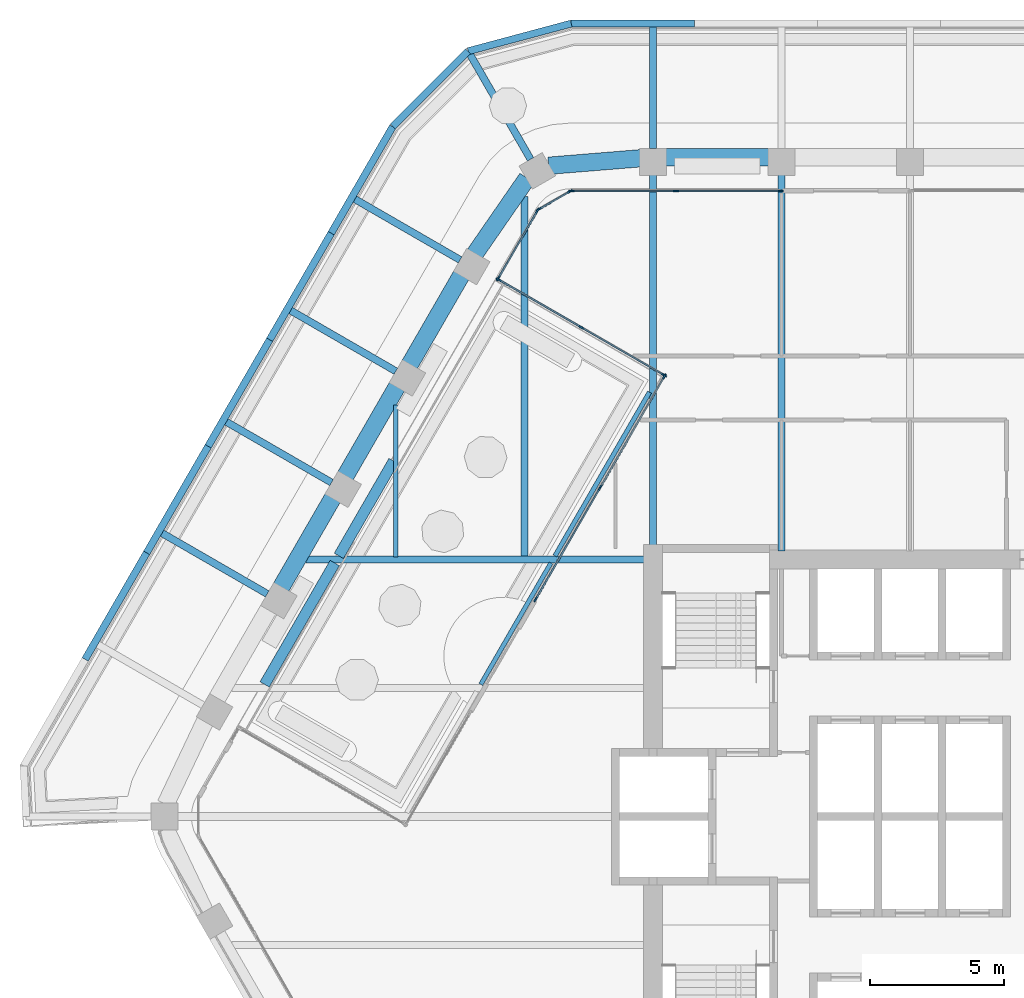
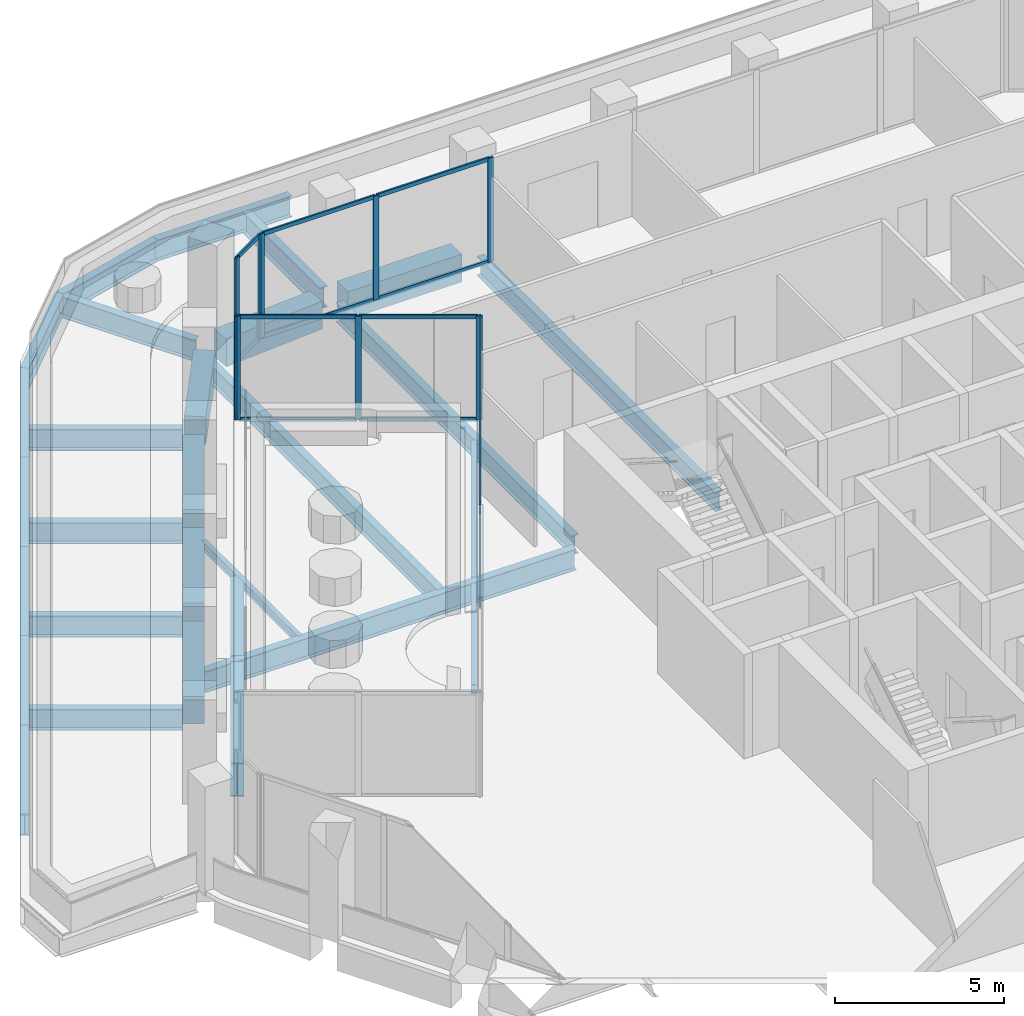
# One storey, part 6 of 18: 29 beams, 29 members, 5 elements without a shape of their own.
"""IFC4 building model written with IfcOpenShell, lengths in metres."""

from ifc_helpers import new_model, si_unit, direction, frame, origin, origin_2d, place, context, subcontext, project, spatial, rectangle, i_section, extrude, material, material_profile, profile_set, type_object, element, aggregate, save


model = new_model("IFC4")

# Units and contexts
model_context = context("Model", 3, precision=1e-05, world=origin(), true_north=direction((0.0, 1.0)))
body_context = subcontext(model_context, "Body", "Model", "MODEL_VIEW")
ifc_project = project(units=[si_unit("LENGTHUNIT", "METRE"), si_unit("AREAUNIT", "SQUARE_METRE"), si_unit("VOLUMEUNIT", "CUBIC_METRE"), si_unit("PLANEANGLEUNIT", "RADIAN"), si_unit("MASSUNIT", "GRAM", prefix="KILO")], contexts=[model_context])

# Site, building, storey
site_placement = place(None, origin())
site = spatial("IfcSite", under=ifc_project, at=site_placement, CompositionType="ELEMENT")
building_placement = place(site_placement, origin())
building = spatial("IfcBuilding", under=site, at=building_placement, Name="Kolab Exchange Tower", CompositionType="ELEMENT")
storey_placement = place(building_placement, frame((0.0, 0.0, 150.5)))
storey = spatial("IfcBuildingStorey", under=building, at=storey_placement, Name="L30", CompositionType="ELEMENT", Elevation=150.5)

# Beams
ifc_material_1 = material(Name="Steel S355", Category="steel")
ifc_material_profile_1 = material_profile(ifc_material_1, i_section(OverallWidth=0.39990234375, OverallDepth=1.199951171875, WebThickness=0.02490234375, FlangeThickness=0.0400390625, at=origin_2d()), Name="PG1200X400")
ifc_profile_set_1 = profile_set([ifc_material_profile_1], Name="Steel S355")
beam_type_1 = type_object("IfcBeamType", Name="FLOOR BEAM PG1200X400", PredefinedType="BEAM", material=ifc_profile_set_1)
beam_1_placement = place(storey_placement, frame((-24.098388671875, 4.93359375, -0.75), z_axis=(0.500011808253, 0.866018586179, 0.0), x_axis=(-0.866018586179, 0.500011808253, 0.0)))
element("IfcBeam", 1, at=beam_1_placement, inside=storey, type_object=beam_type_1, Name="beam/L30/fr/003", PredefinedType="BEAM", context=body_context, shape_type="SweptSolid", body=[
    extrude(i_section(OverallWidth=0.39990234375, OverallDepth=1.199951171875, WebThickness=0.02490234375, FlangeThickness=0.0400390625, at=origin_2d()), origin(), (0.0, 0.0, 1.0), 5.234130859375),
])
beam_2_placement = place(storey_placement, frame((-21.3271484375, 9.7333984375, -0.75), z_axis=(0.499998074415, 0.866026515518, 0.0), x_axis=(-0.866026515518, 0.499998074415, 0.0)))
element("IfcBeam", 2, at=beam_2_placement, inside=storey, type_object=beam_type_1, Name="beam/L30/fr/004", PredefinedType="BEAM", context=body_context, shape_type="SweptSolid", body=[
    extrude(i_section(OverallWidth=0.39990234375, OverallDepth=1.199951171875, WebThickness=0.02490234375, FlangeThickness=0.0400390625, at=origin_2d()), origin(), (0.0, 0.0, 1.0), 4.08935546875),
])
ifc_material_profile_2 = material_profile(ifc_material_1, i_section(OverallWidth=0.1650390625, OverallDepth=0.31005859375, WebThickness=0.005859375, FlangeThickness=0.009765625, at=origin_2d()), Name="W310X39")
ifc_profile_set_2 = profile_set([ifc_material_profile_2], Name="Steel S355")
beam_type_2 = type_object("IfcBeamType", Name="FLOOR BEAM W310X39", PredefinedType="BEAM", material=ifc_profile_set_2)
beam_3_placement = place(storey_placement, frame((-19.199951171875, 9.693603515625, -0.304931640625), z_axis=(0.0, 1.0, 0.0), x_axis=(-1.0, 0.0, 0.0)))
element("IfcBeam", 3, at=beam_3_placement, inside=storey, type_object=beam_type_2, Name="beam/L30/fr/006", PredefinedType="BEAM", context=body_context, shape_type="SweptSolid", body=[
    extrude(i_section(OverallWidth=0.1650390625, OverallDepth=0.31005859375, WebThickness=0.005859375, FlangeThickness=0.009765625, at=origin_2d()), origin(), (0.0, 0.0, 1.0), 5.674072265625),
])
beam_4_placement = place(storey_placement, frame((-16.027099609375, 4.93359375, -0.304931640625), z_axis=(0.500011808253, 0.866018586179, 0.0), x_axis=(-0.866018586179, 0.500011808253, 0.0)))
element("IfcBeam", 4, at=beam_4_placement, inside=storey, type_object=beam_type_2, Name="beam/L30/fr/008", PredefinedType="BEAM", context=body_context, shape_type="SweptSolid", body=[
    extrude(i_section(OverallWidth=0.1650390625, OverallDepth=0.31005859375, WebThickness=0.005859375, FlangeThickness=0.009765625, at=origin_2d()), origin(), (0.0, 0.0, 1.0), 5.234130859375),
])
ifc_material_profile_3 = material_profile(ifc_material_1, i_section(OverallWidth=0.1708984375, OverallDepth=0.35498046875, WebThickness=0.007080078125, FlangeThickness=0.01171875, at=origin_2d()), Name="W360X51")
ifc_profile_set_3 = profile_set([ifc_material_profile_3], Name="Steel S355")
beam_type_3 = type_object("IfcBeamType", Name="FLOOR BEAM W360X51", PredefinedType="BEAM", material=ifc_profile_set_3)
beam_5_placement = place(storey_placement, frame((-13.255615234375, 9.7333984375, -0.327392578125), z_axis=(0.499974989216, 0.866039843286, 0.0), x_axis=(-0.866039843286, 0.499974989216, 0.0)))
element("IfcBeam", 5, at=beam_5_placement, inside=storey, type_object=beam_type_3, Name="beam/L30/fr/011", PredefinedType="BEAM", context=body_context, shape_type="SweptSolid", body=[
    extrude(i_section(OverallWidth=0.1708984375, OverallDepth=0.35498046875, WebThickness=0.007080078125, FlangeThickness=0.01171875, at=origin_2d()), origin(), (0.0, 0.0, 1.0), 7.057373046875),
])
ifc_material_profile_4 = material_profile(ifc_material_1, i_section(OverallWidth=0.25390625, OverallDepth=0.68408203125, WebThickness=0.012451171875, FlangeThickness=0.018798828125, at=origin_2d()), Name="W690X140")
ifc_profile_set_4 = profile_set([ifc_material_profile_4], Name="Steel S355")
beam_type_4 = type_object("IfcBeamType", Name="FLOOR BEAM W690X140", PredefinedType="BEAM", material=ifc_profile_set_4)
beam_6_placement = place(storey_placement, frame((-14.39990234375, 9.693603515625, -0.491943359375), z_axis=(0.0, 1.0, 0.0), x_axis=(-1.0, 0.0, 0.0)))
element("IfcBeam", 6, at=beam_6_placement, inside=storey, type_object=beam_type_4, Name="beam/L30/fr/010", PredefinedType="BEAM", context=body_context, shape_type="SweptSolid", body=[
    extrude(i_section(OverallWidth=0.25390625, OverallDepth=0.68408203125, WebThickness=0.012451171875, FlangeThickness=0.018798828125, at=origin_2d()), origin(), (0.0, 0.0, 1.0), 13.462158203125),
])
beam_7_placement = place(storey_placement, frame((-9.60009765625, 10.110107421875, -0.491943359375), z_axis=(0.0, 1.0, 0.0), x_axis=(-1.0, 0.0, 0.0)))
element("IfcBeam", 7, at=beam_7_placement, inside=storey, type_object=beam_type_4, Name="beam/L30/fr/013", PredefinedType="BEAM", context=body_context, shape_type="SweptSolid", body=[
    extrude(i_section(OverallWidth=0.25390625, OverallDepth=0.68408203125, WebThickness=0.012451171875, FlangeThickness=0.018798828125, at=origin_2d()), origin(), (0.0, 0.0, 1.0), 13.871337890625),
])
beam_8_placement = place(storey_placement, frame((-4.800048828125, 9.909912109375, -0.491943359375), z_axis=(0.0, 1.0, 0.0), x_axis=(-1.0, 0.0, 0.0)))
element("IfcBeam", 8, at=beam_8_placement, inside=storey, type_object=beam_type_4, Name="beam/L30/fr/015", PredefinedType="BEAM", context=body_context, shape_type="SweptSolid", body=[
    extrude(i_section(OverallWidth=0.25390625, OverallDepth=0.68408203125, WebThickness=0.012451171875, FlangeThickness=0.018798828125, at=origin_2d()), origin(), (0.0, 0.0, 1.0), 14.071533203125),
])
ifc_material_profile_5 = material_profile(ifc_material_1, i_section(OverallWidth=0.26708984375, OverallDepth=0.761962890625, WebThickness=0.014404296875, FlangeThickness=0.021484375, at=origin_2d()), Name="W760X173")
ifc_profile_set_5 = profile_set([ifc_material_profile_5], Name="Steel S355")
beam_type_5 = type_object("IfcBeamType", Name="FLOOR GIRDER W760X173", PredefinedType="BEAM", material=ifc_profile_set_5)
beam_9_placement = place(storey_placement, frame((-22.546875, 9.60009765625, -0.531005859375), z_axis=(1.0, 0.0, 0.0), x_axis=(0.0, 1.0, 0.0)))
element("IfcBeam", 9, at=beam_9_placement, inside=storey, type_object=beam_type_5, Name="beam/L30/gd/001", PredefinedType="BEAM", context=body_context, shape_type="SweptSolid", body=[
    extrude(i_section(OverallWidth=0.26708984375, OverallDepth=0.761962890625, WebThickness=0.014404296875, FlangeThickness=0.021484375, at=origin_2d()), origin(), (0.0, 0.0, 1.0), 12.636962890625),
])
beam_10_placement = place(storey_placement, frame((-24.0, 8.313720703125, -0.591064453125), z_axis=(-0.866020560687, 0.500008388397, 0.0), x_axis=(-0.500008388397, -0.866020560687, 0.0)))
element("IfcBeam", 10, at=beam_10_placement, inside=storey, type_object=beam_type_5, Name="beam/L30/ledge/rib-02", PredefinedType="BEAM", context=body_context, shape_type="SweptSolid", body=[
    extrude(i_section(OverallWidth=0.26708984375, OverallDepth=0.761962890625, WebThickness=0.014404296875, FlangeThickness=0.021484375, at=origin_2d()), origin(), (0.0, 0.0, 1.0), 4.533203125),
])
beam_11_placement = place(storey_placement, frame((-21.60009765625, 12.470703125, -0.591064453125), z_axis=(-0.866007095043, 0.500031710329, 0.0), x_axis=(-0.500031710329, -0.866007095043, 0.0)))
element("IfcBeam", 11, at=beam_11_placement, inside=storey, type_object=beam_type_5, Name="beam/L30/ledge/rib-03", PredefinedType="BEAM", context=body_context, shape_type="SweptSolid", body=[
    extrude(i_section(OverallWidth=0.26708984375, OverallDepth=0.761962890625, WebThickness=0.014404296875, FlangeThickness=0.021484375, at=origin_2d()), origin(), (0.0, 0.0, 1.0), 4.532958984375),
])
beam_12_placement = place(storey_placement, frame((-19.199951171875, 16.627685546875, -0.591064453125), z_axis=(-0.866020560687, 0.500008388397, 0.0), x_axis=(-0.500008388397, -0.866020560687, 0.0)))
element("IfcBeam", 12, at=beam_12_placement, inside=storey, type_object=beam_type_5, Name="beam/L30/ledge/rib-04", PredefinedType="BEAM", context=body_context, shape_type="SweptSolid", body=[
    extrude(i_section(OverallWidth=0.26708984375, OverallDepth=0.761962890625, WebThickness=0.014404296875, FlangeThickness=0.021484375, at=origin_2d()), origin(), (0.0, 0.0, 1.0), 4.533203125),
])
beam_13_placement = place(storey_placement, frame((-16.800048828125, 20.78466796875, -0.591064453125), z_axis=(-0.866030417568, 0.499991315771, 0.0), x_axis=(-0.499991315771, -0.866030417568, 0.0)))
element("IfcBeam", 13, at=beam_13_placement, inside=storey, type_object=beam_type_5, Name="beam/L30/ledge/rib-05", PredefinedType="BEAM", context=body_context, shape_type="SweptSolid", body=[
    extrude(i_section(OverallWidth=0.26708984375, OverallDepth=0.761962890625, WebThickness=0.014404296875, FlangeThickness=0.021484375, at=origin_2d()), origin(), (0.0, 0.0, 1.0), 4.53271484375),
])
beam_14_placement = place(storey_placement, frame((-14.16796875, 24.53955078125, -0.591064453125), z_axis=(-0.499967994467, 0.866043881399, 0.0), x_axis=(-0.866043881399, -0.499967994467, 0.0)))
element("IfcBeam", 14, at=beam_14_placement, inside=storey, type_object=beam_type_5, Name="beam/L30/ledge/rib-06", PredefinedType="BEAM", context=body_context, shape_type="SweptSolid", body=[
    extrude(i_section(OverallWidth=0.26708984375, OverallDepth=0.761962890625, WebThickness=0.014404296875, FlangeThickness=0.021484375, at=origin_2d()), origin(), (0.0, 0.0, 1.0), 4.532958984375),
])
beam_15_placement = place(storey_placement, frame((-9.60009765625, 24.94140625, -0.591064453125), z_axis=(0.0, 1.0, 0.0), x_axis=(-1.0, 0.0, 0.0)))
element("IfcBeam", 15, at=beam_15_placement, inside=storey, type_object=beam_type_5, Name="beam/L30/ledge/rib-07", PredefinedType="BEAM", context=body_context, shape_type="SweptSolid", body=[
    extrude(i_section(OverallWidth=0.26708984375, OverallDepth=0.761962890625, WebThickness=0.014404296875, FlangeThickness=0.021484375, at=origin_2d()), origin(), (0.0, 0.0, 1.0), 4.533203125),
])
beam_16_placement = place(storey_placement, frame((-30.80029296875, 5.868408203125, -0.591064453125), z_axis=(0.500026097828, 0.866010335672, 0.0), x_axis=(-0.866010335672, 0.500026097828, 0.0)))
element("IfcBeam", 16, at=beam_16_placement, inside=storey, type_object=beam_type_5, Name="beam/L30/ledge/edge-02", PredefinedType="BEAM", context=body_context, shape_type="SweptSolid", body=[
    extrude(i_section(OverallWidth=0.26708984375, OverallDepth=0.761962890625, WebThickness=0.014404296875, FlangeThickness=0.021484375, at=origin_2d()), origin(), (0.0, 0.0, 1.0), 4.593505859375),
])
beam_17_placement = place(storey_placement, frame((-28.50341796875, 9.846435546875, -0.591064453125), z_axis=(0.500003083703, 0.8660236234, 0.0), x_axis=(-0.8660236234, 0.500003083703, 0.0)))
element("IfcBeam", 17, at=beam_17_placement, inside=storey, type_object=beam_type_5, Name="beam/L30/ledge/edge-03", PredefinedType="BEAM", context=body_context, shape_type="SweptSolid", body=[
    extrude(i_section(OverallWidth=0.26708984375, OverallDepth=0.761962890625, WebThickness=0.014404296875, FlangeThickness=0.021484375, at=origin_2d()), origin(), (0.0, 0.0, 1.0), 4.59375),
])
beam_18_placement = place(storey_placement, frame((-26.20654296875, 13.82470703125, -0.591064453125), z_axis=(0.499963222339, 0.866046636336, 0.0), x_axis=(-0.866046636336, 0.499963222339, 0.0)))
element("IfcBeam", 18, at=beam_18_placement, inside=storey, type_object=beam_type_5, Name="beam/L30/ledge/edge-04", PredefinedType="BEAM", context=body_context, shape_type="SweptSolid", body=[
    extrude(i_section(OverallWidth=0.26708984375, OverallDepth=0.761962890625, WebThickness=0.014404296875, FlangeThickness=0.021484375, at=origin_2d()), origin(), (0.0, 0.0, 1.0), 4.593505859375),
])
beam_19_placement = place(storey_placement, frame((-23.909912109375, 17.802978515625, -0.591064453125), z_axis=(0.50004294189, 0.866000609853, 0.0), x_axis=(-0.866000609853, 0.50004294189, 0.0)))
element("IfcBeam", 19, at=beam_19_placement, inside=storey, type_object=beam_type_5, Name="beam/L30/ledge/edge-05", PredefinedType="BEAM", context=body_context, shape_type="SweptSolid", body=[
    extrude(i_section(OverallWidth=0.26708984375, OverallDepth=0.761962890625, WebThickness=0.014404296875, FlangeThickness=0.021484375, at=origin_2d()), origin(), (0.0, 0.0, 1.0), 4.59375),
])
beam_20_placement = place(storey_placement, frame((-21.61279296875, 21.78125, -0.591064453125), z_axis=(0.499963222339, 0.866046636336, 0.0), x_axis=(-0.866046636336, 0.499963222339, 0.0)))
element("IfcBeam", 20, at=beam_20_placement, inside=storey, type_object=beam_type_5, Name="beam/L30/ledge/edge-06", PredefinedType="BEAM", context=body_context, shape_type="SweptSolid", body=[
    extrude(i_section(OverallWidth=0.26708984375, OverallDepth=0.761962890625, WebThickness=0.014404296875, FlangeThickness=0.021484375, at=origin_2d()), origin(), (0.0, 0.0, 1.0), 4.593505859375),
])
beam_21_placement = place(storey_placement, frame((-19.316162109375, 25.759521484375, -0.591064453125), z_axis=(0.707106781187, 0.707106781187, 0.0), x_axis=(-0.707106781187, 0.707106781187, 0.0)))
element("IfcBeam", 21, at=beam_21_placement, inside=storey, type_object=beam_type_5, Name="beam/L30/ledge/edge-07", PredefinedType="BEAM", context=body_context, shape_type="SweptSolid", body=[
    extrude(i_section(OverallWidth=0.26708984375, OverallDepth=0.761962890625, WebThickness=0.014404296875, FlangeThickness=0.021484375, at=origin_2d()), origin(), (0.0, 0.0, 1.0), 3.984375),
])
beam_22_placement = place(storey_placement, frame((-16.498779296875, 28.576904296875, -0.591064453125), z_axis=(0.965936290682, 0.258779988299, 0.0), x_axis=(-0.258779988299, 0.965936290682, 0.0)))
element("IfcBeam", 22, at=beam_22_placement, inside=storey, type_object=beam_type_5, Name="beam/L30/ledge/edge-08", PredefinedType="BEAM", context=body_context, shape_type="SweptSolid", body=[
    extrude(i_section(OverallWidth=0.26708984375, OverallDepth=0.761962890625, WebThickness=0.014404296875, FlangeThickness=0.021484375, at=origin_2d()), origin(), (0.0, 0.0, 1.0), 3.984130859375),
])
beam_23_placement = place(storey_placement, frame((-12.650390625, 29.60791015625, -0.591064453125), z_axis=(1.0, 0.0, 0.0), x_axis=(0.0, 1.0, 0.0)))
element("IfcBeam", 23, at=beam_23_placement, inside=storey, type_object=beam_type_5, Name="beam/L30/ledge/edge-09", PredefinedType="BEAM", context=body_context, shape_type="SweptSolid", body=[
    extrude(i_section(OverallWidth=0.26708984375, OverallDepth=0.761962890625, WebThickness=0.014404296875, FlangeThickness=0.021484375, at=origin_2d()), origin(), (0.0, 0.0, 1.0), 4.59375),
])
ifc_material_2 = material(Name="Concrete C60/75", Category="concrete")
ifc_material_profile_6 = material_profile(ifc_material_2, rectangle(XDim=0.64990234375, YDim=1.0, at=origin_2d()), Name="RC650X1000")
ifc_profile_set_6 = profile_set([ifc_material_profile_6], Name="Concrete C60/75")
beam_type_6 = type_object("IfcBeamType", Name="SPANDREL BEAM 650X1000 C60/75", PredefinedType="BEAM", material=ifc_profile_set_6)
beam_24_placement = place(storey_placement, frame((-13.493896484375, 24.2998046875, -0.64990234375), z_axis=(0.996708497182, 0.081068931445, 0.0), x_axis=(-0.081068931445, 0.996708497182, 0.0)))
element("IfcBeam", 24, at=beam_24_placement, inside=storey, type_object=beam_type_6, Name="beam/L30/sp/F1-01", PredefinedType="BEAM", context=body_context, shape_type="SweptSolid", body=[
    extrude(rectangle(XDim=0.64990234375, YDim=1.0, at=origin_2d()), origin(), (0.0, 0.0, 1.0), 3.445068359375),
])
for number, where, z_axis, x_axis, name in (
    (25, (-9.139892578125, 24.616455078125, -0.64990234375), (1.0, 0.0, 0.0), (0.0, 1.0, 0.0), "beam/L30/sp/F1-02"),
    (26, (-23.488525390625, 8.5498046875, -0.64990234375), (0.499996613652, 0.866027358884, 0.0), (-0.866027358884, 0.499996613652, 0.0), "beam/L30/sp/F6-03"),
):
    element("IfcBeam", number, at=place(storey_placement, frame(where, z_axis=z_axis, x_axis=x_axis)), inside=storey, type_object=beam_type_6, Name=name, PredefinedType="BEAM", context=body_context, shape_type="SweptSolid", body=[
        extrude(rectangle(XDim=0.64990234375, YDim=1.0, at=origin_2d()), origin(), (0.0, 0.0, 1.0), 3.8798828125),
    ])
beam_25_placement = place(storey_placement, frame((-21.088623046875, 12.70654296875, -0.64990234375), z_axis=(0.50001655835, 0.866015843605, 0.0), x_axis=(-0.866015843605, 0.50001655835, 0.0)))
element("IfcBeam", 27, at=beam_25_placement, inside=storey, type_object=beam_type_6, Name="beam/L30/sp/F6-04", PredefinedType="BEAM", context=body_context, shape_type="SweptSolid", body=[
    extrude(rectangle(XDim=0.64990234375, YDim=1.0, at=origin_2d()), origin(), (0.0, 0.0, 1.0), 3.880126953125),
])
beam_26_placement = place(storey_placement, frame((-18.6884765625, 16.863525390625, -0.64990234375), z_axis=(0.499996613652, 0.866027358884, 0.0), x_axis=(-0.866027358884, 0.499996613652, 0.0)))
element("IfcBeam", 28, at=beam_26_placement, inside=storey, type_object=beam_type_6, Name="beam/L30/sp/F6-05", PredefinedType="BEAM", context=body_context, shape_type="SweptSolid", body=[
    extrude(rectangle(XDim=0.64990234375, YDim=1.0, at=origin_2d()), origin(), (0.0, 0.0, 1.0), 3.8798828125),
])
beam_27_placement = place(storey_placement, frame((-16.256103515625, 21.001953125, -0.64990234375), z_axis=(0.568572281073, 0.822633309073, 0.0), x_axis=(-0.822633309073, 0.568572281073, 0.0)))
element("IfcBeam", 29, at=beam_27_placement, inside=storey, type_object=beam_type_6, Name="beam/L30/sp/F6-06", PredefinedType="BEAM", context=body_context, shape_type="SweptSolid", body=[
    extrude(rectangle(XDim=0.64990234375, YDim=1.0, at=origin_2d()), origin(), (0.0, 0.0, 1.0), 3.445068359375),
])

# Curtain wall, members
ifc_material_3 = material(Name="Aluminium EN AW-6063 T6", Category="aluminium")
curtain_wall_type = type_object("IfcCurtainWallType", Name="UNITISED UPPER MID ZONE CURTAIN WALL", PredefinedType="NOTDEFINED", material=ifc_material_3)
curtain_wall_1_placement = place(storey_placement, origin())
curtain_wall_1 = element("IfcCurtainWall", 30, at=curtain_wall_1_placement, inside=storey, type_object=curtain_wall_type, Name="cw/L30/F1-1", PredefinedType="NOTDEFINED")
ifc_material_profile_7 = material_profile(ifc_material_3, rectangle(XDim=0.06005859375, YDim=0.199951171875, at=origin_2d()), Name="RECT 60X200")
ifc_profile_set_7 = profile_set([ifc_material_profile_7], Name="Aluminium EN AW-6063 T6")
member_type_1 = type_object("IfcMemberType", Name="UNITISED UPPER MID ZONE MULLION 60 X 200", PredefinedType="MULLION", material=ifc_profile_set_7)
member_1_placement = place(storey_placement, frame((-12.637939453125, 23.361572265625, 0.0), z_axis=(0.0, 0.0, 1.0), x_axis=(0.0, 1.0, 0.0)))
member_1 = element("IfcMember", 31, at=member_1_placement, type_object=member_type_1, Name="CW3 mullion 1", PredefinedType="MULLION", context=body_context, shape_type="SweptSolid", body=[
    extrude(rectangle(XDim=0.06005859375, YDim=0.199951171875, at=origin_2d()), origin(), (0.0, 0.0, 1.0), 3.75),
])
member_2_placement = place(storey_placement, frame((-8.73388671875, 23.361572265625, 0.0), z_axis=(0.0, 0.0, 1.0), x_axis=(0.0, 1.0, 0.0)))
member_2 = element("IfcMember", 32, at=member_2_placement, type_object=member_type_1, Name="CW3 mullion 2", PredefinedType="MULLION", context=body_context, shape_type="SweptSolid", body=[
    extrude(rectangle(XDim=0.06005859375, YDim=0.199951171875, at=origin_2d()), origin(), (0.0, 0.0, 1.0), 3.75),
])
member_3_placement = place(storey_placement, frame((-4.830078125, 23.361572265625, 0.0), z_axis=(0.0, 0.0, 1.0), x_axis=(0.0, 1.0, 0.0)))
member_3 = element("IfcMember", 33, at=member_3_placement, type_object=member_type_1, Name="CW3 mullion 3", PredefinedType="MULLION", context=body_context, shape_type="SweptSolid", body=[
    extrude(rectangle(XDim=0.06005859375, YDim=0.199951171875, at=origin_2d()), origin(), (0.0, 0.0, 1.0), 3.75),
])

curtain_wall_2_placement = place(storey_placement, origin())
curtain_wall_2 = element("IfcCurtainWall", 34, at=curtain_wall_2_placement, inside=storey, type_object=curtain_wall_type, Name="cw/L30/F6-back-2", PredefinedType="NOTDEFINED")
member_4_placement = place(storey_placement, frame((-13.981201171875, 8.106689453125, 0.0), z_axis=(0.0, 0.0, 1.0), x_axis=(-0.866025406141, 0.499999995919, 0.0)))
member_4 = element("IfcMember", 35, at=member_4_placement, type_object=member_type_1, Name="CW3 mullion 1", PredefinedType="MULLION", context=body_context, shape_type="SweptSolid", body=[
    extrude(rectangle(XDim=0.06005859375, YDim=0.199951171875, at=origin_2d()), origin(), (0.0, 0.0, 1.0), 3.75),
])
member_5_placement = place(storey_placement, frame((-11.576416015625, 12.272216796875, 0.0), z_axis=(0.0, 0.0, 1.0), x_axis=(-0.866025406141, 0.499999995919, 0.0)))
member_5 = element("IfcMember", 36, at=member_5_placement, type_object=member_type_1, Name="CW3 mullion 2", PredefinedType="MULLION", context=body_context, shape_type="SweptSolid", body=[
    extrude(rectangle(XDim=0.06005859375, YDim=0.199951171875, at=origin_2d()), origin(), (0.0, 0.0, 1.0), 3.75),
])
member_6_placement = place(storey_placement, frame((-9.17138671875, 16.43798828125, 0.0), z_axis=(0.0, 0.0, 1.0), x_axis=(-0.866025406141, 0.499999995919, 0.0)))
member_6 = element("IfcMember", 37, at=member_6_placement, type_object=member_type_1, Name="CW3 mullion 3", PredefinedType="MULLION", context=body_context, shape_type="SweptSolid", body=[
    extrude(rectangle(XDim=0.06005859375, YDim=0.199951171875, at=origin_2d()), origin(), (0.0, 0.0, 1.0), 3.75),
])

curtain_wall_3_placement = place(storey_placement, origin())
curtain_wall_3 = element("IfcCurtainWall", 38, at=curtain_wall_3_placement, inside=storey, type_object=curtain_wall_type, Name="cw/L30/F6-rr-1", PredefinedType="NOTDEFINED")
member_7_placement = place(storey_placement, frame((-9.182373046875, 16.47900390625, 0.0), z_axis=(0.0, 0.0, 1.0), x_axis=(-0.499999994423, -0.866025407005, 0.0)))
member_7 = element("IfcMember", 39, at=member_7_placement, type_object=member_type_1, Name="CW3 mullion 1", PredefinedType="MULLION", context=body_context, shape_type="SweptSolid", body=[
    extrude(rectangle(XDim=0.06005859375, YDim=0.199951171875, at=origin_2d()), origin(), (0.0, 0.0, 1.0), 3.75),
])
member_8_placement = place(storey_placement, frame((-12.27392578125, 18.263916015625, 0.0), z_axis=(0.0, 0.0, 1.0), x_axis=(-0.499999994423, -0.866025407005, 0.0)))
member_8 = element("IfcMember", 40, at=member_8_placement, type_object=member_type_1, Name="CW3 mullion 2", PredefinedType="MULLION", context=body_context, shape_type="SweptSolid", body=[
    extrude(rectangle(XDim=0.06005859375, YDim=0.199951171875, at=origin_2d()), origin(), (0.0, 0.0, 1.0), 3.75),
])
member_9_placement = place(storey_placement, frame((-15.36572265625, 20.048828125, 0.0), z_axis=(0.0, 0.0, 1.0), x_axis=(-0.499999994423, -0.866025407005, 0.0)))
member_9 = element("IfcMember", 41, at=member_9_placement, type_object=member_type_1, Name="CW3 mullion 3", PredefinedType="MULLION", context=body_context, shape_type="SweptSolid", body=[
    extrude(rectangle(XDim=0.06005859375, YDim=0.199951171875, at=origin_2d()), origin(), (0.0, 0.0, 1.0), 3.75),
])

curtain_wall_4_placement = place(storey_placement, origin())
curtain_wall_4 = element("IfcCurtainWall", 42, at=curtain_wall_4_placement, inside=storey, type_object=curtain_wall_type, Name="cw/L30/F6-r-1", PredefinedType="NOTDEFINED")
member_10_placement = place(storey_placement, frame((-15.376708984375, 20.08984375, 0.0), z_axis=(0.0, 0.0, 1.0), x_axis=(-0.866025353144, 0.500000087712, 0.0)))
member_10 = element("IfcMember", 43, at=member_10_placement, type_object=member_type_1, Name="CW3 mullion 1", PredefinedType="MULLION", context=body_context, shape_type="SweptSolid", body=[
    extrude(rectangle(XDim=0.06005859375, YDim=0.199951171875, at=origin_2d()), origin(), (0.0, 0.0, 1.0), 3.75),
])
member_11_placement = place(storey_placement, frame((-13.91259765625, 22.62548828125, 0.0), z_axis=(0.0, 0.0, 1.0), x_axis=(-0.866025353144, 0.500000087712, 0.0)))
member_11 = element("IfcMember", 44, at=member_11_placement, type_object=member_type_1, Name="CW3 mullion 2", PredefinedType="MULLION", context=body_context, shape_type="SweptSolid", body=[
    extrude(rectangle(XDim=0.06005859375, YDim=0.199951171875, at=origin_2d()), origin(), (0.0, 0.0, 1.0), 3.75),
])

curtain_wall_5_placement = place(storey_placement, origin())
curtain_wall_5 = element("IfcCurtainWall", 45, at=curtain_wall_5_placement, inside=storey, type_object=curtain_wall_type, Name="cw/L30/F6F1-corner", PredefinedType="NOTDEFINED")
member_12_placement = place(storey_placement, frame((-13.871826171875, 22.66650390625, 0.0), z_axis=(0.0, 0.0, 1.0), x_axis=(-0.50000002237, 0.866025390869, 0.0)))
member_12 = element("IfcMember", 46, at=member_12_placement, type_object=member_type_1, Name="CW3 mullion 1", PredefinedType="MULLION", context=body_context, shape_type="SweptSolid", body=[
    extrude(rectangle(XDim=0.06005859375, YDim=0.199951171875, at=origin_2d()), origin(), (0.0, 0.0, 1.0), 3.75),
])
member_13_placement = place(storey_placement, frame((-12.69384765625, 23.346435546875, 0.0), z_axis=(0.0, 0.0, 1.0), x_axis=(-0.50000002237, 0.866025390869, 0.0)))
member_13 = element("IfcMember", 47, at=member_13_placement, type_object=member_type_1, Name="CW3 mullion 2", PredefinedType="MULLION", context=body_context, shape_type="SweptSolid", body=[
    extrude(rectangle(XDim=0.06005859375, YDim=0.199951171875, at=origin_2d()), origin(), (0.0, 0.0, 1.0), 3.75),
])

# Member
ifc_material_profile_8 = material_profile(ifc_material_3, rectangle(XDim=0.06005859375, YDim=0.139892578125, at=origin_2d()), Name="RECT 60X140")
ifc_profile_set_8 = profile_set([ifc_material_profile_8], Name="Aluminium EN AW-6063 T6")
member_type_2 = type_object("IfcMemberType", Name="UNITISED UPPER MID ZONE TRANSOM 60 X 140", PredefinedType="USERDEFINED", material=ifc_profile_set_8)
member_14_placement = place(storey_placement, frame((-12.60791015625, 23.361572265625, 0.030029296875), z_axis=(1.0, 0.0, 0.0), x_axis=(0.0, 1.0, 0.0)))
member_14 = element("IfcMember", 48, at=member_14_placement, type_object=member_type_2, Name="CW3 transom 1.1", ObjectType="TRANSOM", PredefinedType="USERDEFINED", context=body_context, shape_type="SweptSolid", body=[
    extrude(rectangle(XDim=0.06005859375, YDim=0.139892578125, at=origin_2d()), origin(), (0.0, 0.0, 1.0), 3.843994140625),
])

member_15_placement = place(storey_placement, frame((-12.60791015625, 23.361572265625, 3.719970703125), z_axis=(1.0, 0.0, 0.0), x_axis=(0.0, 1.0, 0.0)))
member_15 = element("IfcMember", 49, at=member_15_placement, type_object=member_type_2, Name="CW3 transom 1.2", ObjectType="TRANSOM", PredefinedType="USERDEFINED", context=body_context, shape_type="SweptSolid", body=[
    extrude(rectangle(XDim=0.06005859375, YDim=0.139892578125, at=origin_2d()), origin(), (0.0, 0.0, 1.0), 3.843994140625),
])

member_16_placement = place(storey_placement, frame((-8.703857421875, 23.361572265625, 0.030029296875), z_axis=(1.0, 0.0, 0.0), x_axis=(0.0, 1.0, 0.0)))
member_16 = element("IfcMember", 50, at=member_16_placement, type_object=member_type_2, Name="CW3 transom 2.1", ObjectType="TRANSOM", PredefinedType="USERDEFINED", context=body_context, shape_type="SweptSolid", body=[
    extrude(rectangle(XDim=0.06005859375, YDim=0.139892578125, at=origin_2d()), origin(), (0.0, 0.0, 1.0), 3.84375),
])

member_17_placement = place(storey_placement, frame((-8.703857421875, 23.361572265625, 3.719970703125), z_axis=(1.0, 0.0, 0.0), x_axis=(0.0, 1.0, 0.0)))
member_17 = element("IfcMember", 51, at=member_17_placement, type_object=member_type_2, Name="CW3 transom 2.2", ObjectType="TRANSOM", PredefinedType="USERDEFINED", context=body_context, shape_type="SweptSolid", body=[
    extrude(rectangle(XDim=0.06005859375, YDim=0.139892578125, at=origin_2d()), origin(), (0.0, 0.0, 1.0), 3.84375),
])

aggregate(curtain_wall_1, [member_1, member_2, member_3, member_14, member_15, member_16, member_17])

member_18_placement = place(storey_placement, frame((-13.96630859375, 8.1328125, 0.030029296875), z_axis=(0.500008685663, 0.866020389056, 0.0), x_axis=(-0.866020389056, 0.500008685663, 0.0)))
member_18 = element("IfcMember", 52, at=member_18_placement, type_object=member_type_2, Name="CW3 transom 1.1", ObjectType="TRANSOM", PredefinedType="USERDEFINED", context=body_context, shape_type="SweptSolid", body=[
    extrude(rectangle(XDim=0.06005859375, YDim=0.139892578125, at=origin_2d()), origin(), (0.0, 0.0, 1.0), 4.75),
])

member_19_placement = place(storey_placement, frame((-13.96630859375, 8.1328125, 3.719970703125), z_axis=(0.500008685663, 0.866020389056, 0.0), x_axis=(-0.866020389056, 0.500008685663, 0.0)))
member_19 = element("IfcMember", 53, at=member_19_placement, type_object=member_type_2, Name="CW3 transom 1.2", ObjectType="TRANSOM", PredefinedType="USERDEFINED", context=body_context, shape_type="SweptSolid", body=[
    extrude(rectangle(XDim=0.06005859375, YDim=0.139892578125, at=origin_2d()), origin(), (0.0, 0.0, 1.0), 4.75),
])

member_20_placement = place(storey_placement, frame((-11.561279296875, 12.29833984375, 0.030029296875), z_axis=(0.500008685663, 0.866020389056, 0.0), x_axis=(-0.866020389056, 0.500008685663, 0.0)))
member_20 = element("IfcMember", 54, at=member_20_placement, type_object=member_type_2, Name="CW3 transom 2.1", ObjectType="TRANSOM", PredefinedType="USERDEFINED", context=body_context, shape_type="SweptSolid", body=[
    extrude(rectangle(XDim=0.06005859375, YDim=0.139892578125, at=origin_2d()), origin(), (0.0, 0.0, 1.0), 4.75),
])

member_21_placement = place(storey_placement, frame((-11.561279296875, 12.29833984375, 3.719970703125), z_axis=(0.500008685663, 0.866020389056, 0.0), x_axis=(-0.866020389056, 0.500008685663, 0.0)))
member_21 = element("IfcMember", 55, at=member_21_placement, type_object=member_type_2, Name="CW3 transom 2.2", ObjectType="TRANSOM", PredefinedType="USERDEFINED", context=body_context, shape_type="SweptSolid", body=[
    extrude(rectangle(XDim=0.06005859375, YDim=0.139892578125, at=origin_2d()), origin(), (0.0, 0.0, 1.0), 4.75),
])

aggregate(curtain_wall_2, [member_4, member_5, member_6, member_18, member_19, member_20, member_21])

member_22_placement = place(storey_placement, frame((-9.208251953125, 16.493896484375, 0.030029296875), z_axis=(-0.866043119098, 0.499969314921, 0.0), x_axis=(-0.499969314921, -0.866043119098, 0.0)))
member_22 = element("IfcMember", 56, at=member_22_placement, type_object=member_type_2, Name="CW3 transom 1.1", ObjectType="TRANSOM", PredefinedType="USERDEFINED", context=body_context, shape_type="SweptSolid", body=[
    extrude(rectangle(XDim=0.06005859375, YDim=0.139892578125, at=origin_2d()), origin(), (0.0, 0.0, 1.0), 3.510009765625),
])

member_23_placement = place(storey_placement, frame((-9.208251953125, 16.493896484375, 3.719970703125), z_axis=(-0.866043119098, 0.499969314921, 0.0), x_axis=(-0.499969314921, -0.866043119098, 0.0)))
member_23 = element("IfcMember", 57, at=member_23_placement, type_object=member_type_2, Name="CW3 transom 1.2", ObjectType="TRANSOM", PredefinedType="USERDEFINED", context=body_context, shape_type="SweptSolid", body=[
    extrude(rectangle(XDim=0.06005859375, YDim=0.139892578125, at=origin_2d()), origin(), (0.0, 0.0, 1.0), 3.510009765625),
])

member_24_placement = place(storey_placement, frame((-12.300048828125, 18.27880859375, 0.030029296875), z_axis=(-0.86599560964, 0.500051601422, 0.0), x_axis=(-0.500051601422, -0.86599560964, 0.0)))
member_24 = element("IfcMember", 58, at=member_24_placement, type_object=member_type_2, Name="CW3 transom 2.1", ObjectType="TRANSOM", PredefinedType="USERDEFINED", context=body_context, shape_type="SweptSolid", body=[
    extrude(rectangle(XDim=0.06005859375, YDim=0.139892578125, at=origin_2d()), origin(), (0.0, 0.0, 1.0), 3.510009765625),
])

member_25_placement = place(storey_placement, frame((-12.300048828125, 18.27880859375, 3.719970703125), z_axis=(-0.86599560964, 0.500051601422, 0.0), x_axis=(-0.500051601422, -0.86599560964, 0.0)))
member_25 = element("IfcMember", 59, at=member_25_placement, type_object=member_type_2, Name="CW3 transom 2.2", ObjectType="TRANSOM", PredefinedType="USERDEFINED", context=body_context, shape_type="SweptSolid", body=[
    extrude(rectangle(XDim=0.06005859375, YDim=0.139892578125, at=origin_2d()), origin(), (0.0, 0.0, 1.0), 3.510009765625),
])

aggregate(curtain_wall_3, [member_7, member_8, member_9, member_22, member_23, member_24, member_25])

member_26_placement = place(storey_placement, frame((-15.361572265625, 20.115966796875, 0.030029296875), z_axis=(0.499975463599, 0.866039569419, 0.0), x_axis=(-0.866039569419, 0.499975463599, 0.0)))
member_26 = element("IfcMember", 60, at=member_26_placement, type_object=member_type_2, Name="CW3 transom 1.1", ObjectType="TRANSOM", PredefinedType="USERDEFINED", context=body_context, shape_type="SweptSolid", body=[
    extrude(rectangle(XDim=0.06005859375, YDim=0.139892578125, at=origin_2d()), origin(), (0.0, 0.0, 1.0), 2.867919921875),
])

member_27_placement = place(storey_placement, frame((-15.361572265625, 20.115966796875, 3.719970703125), z_axis=(0.499975463599, 0.866039569419, 0.0), x_axis=(-0.866039569419, 0.499975463599, 0.0)))
member_27 = element("IfcMember", 61, at=member_27_placement, type_object=member_type_2, Name="CW3 transom 1.2", ObjectType="TRANSOM", PredefinedType="USERDEFINED", context=body_context, shape_type="SweptSolid", body=[
    extrude(rectangle(XDim=0.06005859375, YDim=0.139892578125, at=origin_2d()), origin(), (0.0, 0.0, 1.0), 2.867919921875),
])

aggregate(curtain_wall_4, [member_10, member_11, member_26, member_27])

member_28_placement = place(storey_placement, frame((-13.845703125, 22.681640625, 0.030029296875), z_axis=(0.86603858612, 0.49997716683, 0.0), x_axis=(-0.49997716683, 0.86603858612, 0.0)))
member_28 = element("IfcMember", 62, at=member_28_placement, type_object=member_type_2, Name="CW3 transom 1.1", ObjectType="TRANSOM", PredefinedType="USERDEFINED", context=body_context, shape_type="SweptSolid", body=[
    extrude(rectangle(XDim=0.06005859375, YDim=0.139892578125, at=origin_2d()), origin(), (0.0, 0.0, 1.0), 1.2998046875),
])

member_29_placement = place(storey_placement, frame((-13.845703125, 22.681640625, 3.719970703125), z_axis=(0.86603858612, 0.49997716683, 0.0), x_axis=(-0.49997716683, 0.86603858612, 0.0)))
member_29 = element("IfcMember", 63, at=member_29_placement, type_object=member_type_2, Name="CW3 transom 1.2", ObjectType="TRANSOM", PredefinedType="USERDEFINED", context=body_context, shape_type="SweptSolid", body=[
    extrude(rectangle(XDim=0.06005859375, YDim=0.139892578125, at=origin_2d()), origin(), (0.0, 0.0, 1.0), 1.2998046875),
])

aggregate(curtain_wall_5, [member_12, member_13, member_28, member_29])

save(model, "model.ifc")
